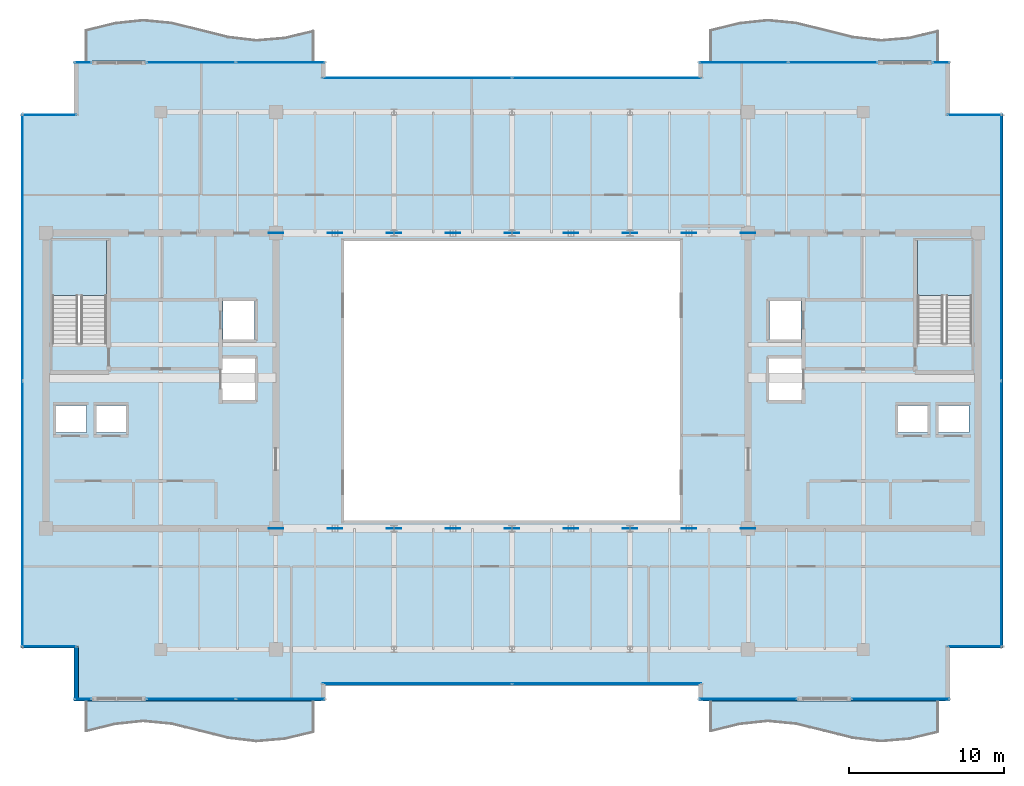
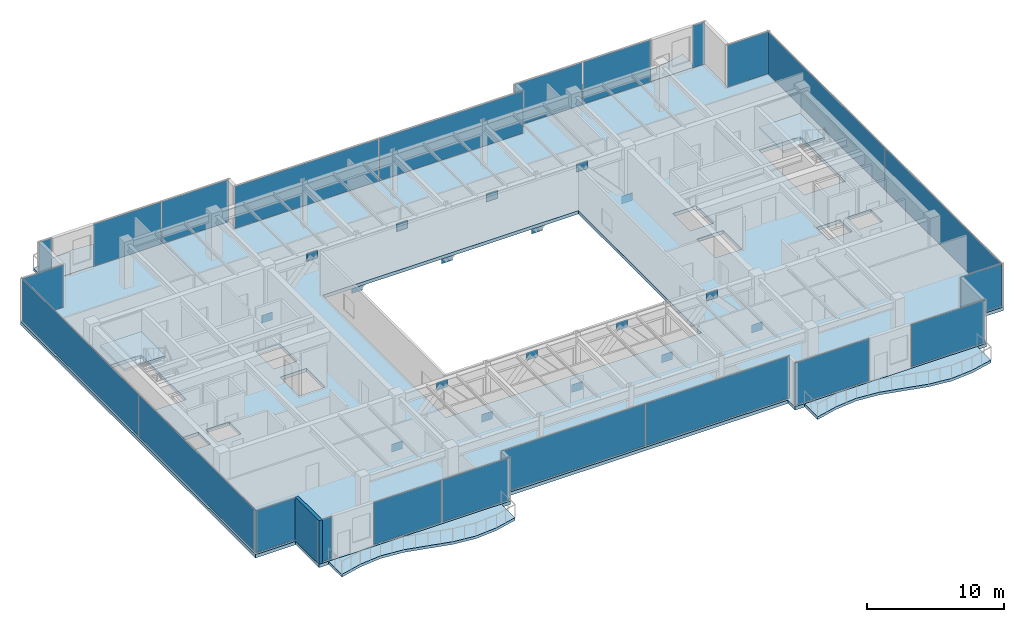
# One storey, part 24 of 31: 41 plates, 7 slabs, 1 wall, 18 elements without a shape of their own.
"""IFC4 building model written with IfcOpenShell, lengths in metres."""

from ifc_helpers import new_model, si_unit, direction, frame, frame_2d, origin, origin_2d, place, context, subcontext, project, spatial, polyline, rectangle, outline, extrude, source, transform, mapped, material, layer, layer_set, type_object, type_shapes, element, aggregate, save


model = new_model("IFC4")

# Units and contexts
model_context = context("Model", 3, precision=1e-05, world=origin(), true_north=direction((0.0, 1.0)))
body_context = subcontext(model_context, "Body", "Model", "MODEL_VIEW")
ifc_project = project(units=[si_unit("LENGTHUNIT", "METRE"), si_unit("AREAUNIT", "SQUARE_METRE"), si_unit("VOLUMEUNIT", "CUBIC_METRE"), si_unit("PLANEANGLEUNIT", "RADIAN"), si_unit("MASSUNIT", "GRAM", prefix="KILO")], contexts=[model_context])

# Site, building, storey
site_placement = place(None, origin())
site = spatial("IfcSite", under=ifc_project, at=site_placement, CompositionType="ELEMENT")
building_placement = place(site_placement, origin())
building = spatial("IfcBuilding", under=site, at=building_placement, Name="Haelvirn Gate Laboratories", CompositionType="ELEMENT")
storey_placement = place(building_placement, frame((0.0, 0.0, 310.199951171875)))
storey = spatial("IfcBuildingStorey", under=building, at=storey_placement, Name="L74", CompositionType="ELEMENT", Elevation=310.199951171875)

# Stair, slab
ifc_material_1 = material(Name="Concrete C40/50", Category="concrete")
stair_type = type_object("IfcStairType", Name="ST-DOG-1650-R24", PredefinedType="HALF_TURN_STAIR", material=ifc_material_1)
stair_1_placement = place(storey_placement, origin())
stair_1 = element("IfcStair", 1, at=stair_1_placement, inside=storey, type_object=stair_type, Name="L74 Escape Stair ST1", PredefinedType="HALF_TURN_STAIR")
ifc_layer_1 = layer(ifc_material_1, 0.199951171875, Name="SL-STAIR-LND")
ifc_layer_set_1 = layer_set([ifc_layer_1], Name="Concrete C40/50")
slab_type_1 = type_object("IfcSlabType", Name="SL-STAIR-LND", PredefinedType="LANDING", material=ifc_layer_set_1)
slab_1_placement = place(storey_placement, frame((0.0, 0.0, 1.900146484375)))
slab_1 = element("IfcSlab", 2, at=slab_1_placement, type_object=slab_type_1, Name="ST1 landing 1", PredefinedType="LANDING", context=body_context, shape_type="SweptSolid", body=[
    extrude(outline(polyline([(11.300048828125, 29.780029296875), (11.300048828125, 33.35009765625), (7.800048828125, 33.35009765625), (7.800048828125, 29.780029296875), (11.300048828125, 29.780029296875)])), origin(), (0.0, 0.0, 1.0), 0.199951171875),
])
aggregate(stair_1, [slab_1])

stair_2_placement = place(storey_placement, origin())
stair_2 = element("IfcStair", 3, at=stair_2_placement, inside=storey, type_object=stair_type, Name="L74 Escape Stair ST2", PredefinedType="HALF_TURN_STAIR")
slab_2_placement = place(storey_placement, frame((0.0, 0.0, 1.900146484375)))
slab_2 = element("IfcSlab", 4, at=slab_2_placement, type_object=slab_type_1, Name="ST2 landing 1", PredefinedType="LANDING", context=body_context, shape_type="SweptSolid", body=[
    extrude(outline(polyline([(67.0, 29.780029296875), (67.0, 33.35009765625), (63.5, 33.35009765625), (63.5, 29.780029296875), (67.0, 29.780029296875)])), origin(), (0.0, 0.0, 1.0), 0.199951171875),
])
aggregate(stair_2, [slab_2])

# Slabs
ifc_layer_2 = layer(ifc_material_1, 0.239990234375, Name="SL-WB-P5")
ifc_layer_set_2 = layer_set([ifc_layer_2], Name="Concrete C40/50")
slab_type_2 = type_object("IfcSlabType", Name="SL-WB-P5", PredefinedType="FLOOR", material=ifc_layer_set_2)
slab_3_placement = place(storey_placement, frame((0.0, 0.0, -0.239990234375)))
element("IfcSlab", 5, at=slab_3_placement, inside=storey, type_object=slab_type_2, Name="L74 Soft-Wave Balcony WL-S", PredefinedType="FLOOR", context=body_context, shape_type="SweptSolid", body=[
    extrude(outline(polyline([(10.0, 1.75), (11.824951171875, 2.20458984375), (13.64990234375, 2.39990234375), (15.47509765625, 2.22412109375), (17.300048828125, 1.777587890625), (19.125, 1.3154296875), (20.949951171875, 1.101318359375), (22.77490234375, 1.257568359375), (24.60009765625, 1.69482421875), (24.60009765625, 3.699951171875), (22.77490234375, 3.699951171875), (20.949951171875, 3.699951171875), (19.125, 3.699951171875), (17.300048828125, 3.699951171875), (15.47509765625, 3.699951171875), (13.64990234375, 3.699951171875), (11.824951171875, 3.699951171875), (10.0, 3.699951171875), (10.0, 1.75)])), origin(), (0.0, 0.0, 1.0), 0.239990234375),
])
slab_4_placement = place(storey_placement, frame((0.0, 0.0, -0.239990234375)))
element("IfcSlab", 6, at=slab_4_placement, inside=storey, type_object=slab_type_2, Name="L74 Soft-Wave Balcony WL-N", PredefinedType="FLOOR", context=body_context, shape_type="SweptSolid", body=[
    extrude(outline(polyline([(10.0, 44.89990234375), (11.824951171875, 44.89990234375), (13.64990234375, 44.89990234375), (15.47509765625, 44.89990234375), (17.300048828125, 44.89990234375), (19.125, 44.89990234375), (20.949951171875, 44.89990234375), (22.77490234375, 44.89990234375), (24.60009765625, 44.89990234375), (24.60009765625, 46.794921875), (22.77490234375, 46.357421875), (20.949951171875, 46.201416015625), (19.125, 46.415283203125), (17.300048828125, 46.877685546875), (15.47509765625, 47.323974609375), (13.64990234375, 47.5), (11.824951171875, 47.3046875), (10.0, 46.85009765625), (10.0, 44.89990234375)])), origin(), (0.0, 0.0, 1.0), 0.239990234375),
])
slab_5_placement = place(storey_placement, frame((0.0, 0.0, -0.239990234375)))
element("IfcSlab", 7, at=slab_5_placement, inside=storey, type_object=slab_type_2, Name="L74 Soft-Wave Balcony EL-S", PredefinedType="FLOOR", context=body_context, shape_type="SweptSolid", body=[
    extrude(outline(polyline([(50.199951171875, 1.75), (52.02490234375, 2.20458984375), (53.85009765625, 2.39990234375), (55.675048828125, 2.22412109375), (57.5, 1.777587890625), (59.324951171875, 1.3154296875), (61.14990234375, 1.101318359375), (62.97509765625, 1.257568359375), (64.800048828125, 1.69482421875), (64.800048828125, 3.699951171875), (62.97509765625, 3.699951171875), (61.14990234375, 3.699951171875), (59.324951171875, 3.699951171875), (57.5, 3.699951171875), (55.675048828125, 3.699951171875), (53.85009765625, 3.699951171875), (52.02490234375, 3.699951171875), (50.199951171875, 3.699951171875), (50.199951171875, 1.75)])), origin(), (0.0, 0.0, 1.0), 0.239990234375),
])
slab_6_placement = place(storey_placement, frame((0.0, 0.0, -0.239990234375)))
element("IfcSlab", 8, at=slab_6_placement, inside=storey, type_object=slab_type_2, Name="L74 Soft-Wave Balcony EL-N", PredefinedType="FLOOR", context=body_context, shape_type="SweptSolid", body=[
    extrude(outline(polyline([(50.199951171875, 44.89990234375), (52.02490234375, 44.89990234375), (53.85009765625, 44.89990234375), (55.675048828125, 44.89990234375), (57.5, 44.89990234375), (59.324951171875, 44.89990234375), (61.14990234375, 44.89990234375), (62.97509765625, 44.89990234375), (64.800048828125, 44.89990234375), (64.800048828125, 46.794921875), (62.97509765625, 46.357421875), (61.14990234375, 46.201416015625), (59.324951171875, 46.415283203125), (57.5, 46.877685546875), (55.675048828125, 47.323974609375), (53.85009765625, 47.5), (52.02490234375, 47.3046875), (50.199951171875, 46.85009765625), (50.199951171875, 44.89990234375)])), origin(), (0.0, 0.0, 1.0), 0.239990234375),
])
ifc_layer_3 = layer(ifc_material_1, 0.300048828125, Name="SL-Z3-300")
ifc_layer_set_3 = layer_set([ifc_layer_3], Name="Concrete C40/50")
slab_type_3 = type_object("IfcSlabType", Name="SL-Z3-300", PredefinedType="FLOOR", material=ifc_layer_set_3)
slab_7_placement = place(storey_placement, frame((0.0, 0.0, -0.300048828125)))
element("IfcSlab", 9, at=slab_7_placement, inside=storey, type_object=slab_type_3, Name="L74 Structural Slab MAIN", PredefinedType="FLOOR", context=body_context, shape_type="SweptSolid", body=[
    extrude(outline(polyline([(9.199951171875, 3.699951171875), (25.39990234375, 3.699951171875), (25.39990234375, 4.699951171875), (49.39990234375, 4.699951171875), (49.39990234375, 3.699951171875), (65.60009765625, 3.699951171875), (65.60009765625, 7.10009765625), (69.0, 7.10009765625), (69.0, 41.5), (65.60009765625, 41.5), (65.60009765625, 44.89990234375), (49.39990234375, 44.89990234375), (49.39990234375, 43.89990234375), (25.39990234375, 43.89990234375), (25.39990234375, 44.89990234375), (9.199951171875, 44.89990234375), (9.199951171875, 41.5), (5.800048828125, 41.5), (5.800048828125, 7.10009765625), (9.199951171875, 7.10009765625), (9.199951171875, 3.699951171875)]), holes=[polyline([(26.60009765625, 15.300048828125), (48.199951171875, 15.300048828125), (48.199951171875, 33.300048828125), (26.60009765625, 33.300048828125), (26.60009765625, 15.300048828125)]), polyline([(11.300048828125, 26.780029296875), (11.300048828125, 33.35009765625), (7.800048828125, 33.35009765625), (7.800048828125, 26.780029296875), (11.300048828125, 26.780029296875)]), polyline([(67.0, 26.780029296875), (67.0, 33.35009765625), (63.5, 33.35009765625), (63.5, 26.780029296875), (67.0, 26.780029296875)]), polyline([(7.989990234375, 20.969970703125), (10.010009765625, 20.969970703125), (10.010009765625, 22.7099609375), (7.989990234375, 22.7099609375), (7.989990234375, 20.969970703125)]), polyline([(10.590087890625, 20.969970703125), (12.610107421875, 20.969970703125), (12.610107421875, 22.7099609375), (10.590087890625, 22.7099609375), (10.590087890625, 20.969970703125)]), polyline([(18.7900390625, 26.969970703125), (20.81005859375, 26.969970703125), (20.81005859375, 29.510009765625), (18.7900390625, 29.510009765625), (18.7900390625, 26.969970703125)]), polyline([(18.68994140625, 23.070068359375), (20.909912109375, 23.070068359375), (20.909912109375, 25.81005859375), (18.68994140625, 25.81005859375), (18.68994140625, 23.070068359375)]), polyline([(64.7900390625, 20.969970703125), (66.81005859375, 20.969970703125), (66.81005859375, 22.7099609375), (64.7900390625, 22.7099609375), (64.7900390625, 20.969970703125)]), polyline([(62.18994140625, 20.969970703125), (64.2099609375, 20.969970703125), (64.2099609375, 22.7099609375), (62.18994140625, 22.7099609375), (62.18994140625, 20.969970703125)]), polyline([(53.989990234375, 26.969970703125), (56.010009765625, 26.969970703125), (56.010009765625, 29.510009765625), (53.989990234375, 29.510009765625), (53.989990234375, 26.969970703125)]), polyline([(53.889892578125, 23.070068359375), (56.110107421875, 23.070068359375), (56.110107421875, 25.81005859375), (53.889892578125, 25.81005859375), (53.889892578125, 23.070068359375)])]), origin(), (0.0, 0.0, 1.0), 0.300048828125),
])

# Plates
ifc_material_2 = material(Name="Steel SM420", Category="steel")
ifc_layer_4 = layer(ifc_material_2, 0.033935546875, Name="PL-NODE-AN2")
ifc_layer_set_4 = layer_set([ifc_layer_4], Name="Steel SM420")
plate_type_1 = type_object("IfcPlateType", Name="PL-NODE-AN2", PredefinedType="USERDEFINED", material=ifc_layer_set_4)
shared_shape_1 = source(origin(), body_context, "Body", "SweptSolid", [
    extrude(rectangle(XDim=0.919921875, YDim=0.033935546875, at=origin_2d()), origin(), (0.0, 0.0, 1.0), 0.699951171875),
])
type_shapes(plate_type_1, [shared_shape_1])
for number, where, z_axis, x_axis, name in (
    (10, (22.199951171875, 14.800048828125, -1.10009765625), (0.0, 0.0, 1.0), (1.0, 0.0, 0.0), "L74 Steel Truss Node Plate AN2"),
    (11, (26.0, 14.800048828125, 3.10009765625), (0.0, 0.0, 1.0), (1.0, 0.0, 0.0), "L74 Steel Truss Node Plate AN2"),
    (12, (29.800048828125, 14.800048828125, -1.10009765625), (0.0, 0.0, 1.0), (1.0, 0.0, 0.0), "L74 Steel Truss Node Plate AN2"),
    (13, (33.60009765625, 14.800048828125, 3.10009765625), (0.0, 0.0, 1.0), (1.0, 0.0, 0.0), "L74 Steel Truss Node Plate AN2"),
    (14, (37.39990234375, 14.800048828125, -1.10009765625), (0.0, 0.0, 1.0), (1.0, 0.0, 0.0), "L74 Steel Truss Node Plate AN2"),
    (15, (41.199951171875, 14.800048828125, 3.10009765625), (0.0, 0.0, 1.0), (1.0, 0.0, 0.0), "L74 Steel Truss Node Plate AN2"),
    (16, (45.0, 14.800048828125, -1.10009765625), (0.0, 0.0, 1.0), (1.0, 0.0, 0.0), "L74 Steel Truss Node Plate AN2"),
    (17, (48.800048828125, 14.800048828125, 3.10009765625), (0.0, 0.0, 1.0), (1.0, 0.0, 0.0), "L74 Steel Truss Node Plate AN2"),
    (18, (52.60009765625, 14.800048828125, -1.10009765625), (0.0, 0.0, 1.0), (1.0, 0.0, 0.0), "L74 Steel Truss Node Plate AN2"),
    (19, (22.199951171875, 33.800048828125, -1.10009765625), (0.0, 0.0, 1.0), (1.0, 0.0, 0.0), "L74 Steel Truss Node Plate AN2"),
    (20, (26.0, 33.800048828125, 3.10009765625), (0.0, 0.0, 1.0), (1.0, 0.0, 0.0), "L74 Steel Truss Node Plate AN2"),
    (21, (29.800048828125, 33.800048828125, -1.10009765625), (0.0, 0.0, 1.0), (1.0, 0.0, 0.0), "L74 Steel Truss Node Plate AN2"),
    (22, (33.60009765625, 33.800048828125, 3.10009765625), (0.0, 0.0, 1.0), (1.0, 0.0, 0.0), "L74 Steel Truss Node Plate AN2"),
    (23, (37.39990234375, 33.800048828125, -1.10009765625), (0.0, 0.0, 1.0), (1.0, 0.0, 0.0), "L74 Steel Truss Node Plate AN2"),
    (24, (41.199951171875, 33.800048828125, 3.10009765625), (0.0, 0.0, 1.0), (1.0, 0.0, 0.0), "L74 Steel Truss Node Plate AN2"),
    (25, (45.0, 33.800048828125, -1.10009765625), (0.0, 0.0, 1.0), (1.0, 0.0, 0.0), "L74 Steel Truss Node Plate AN2"),
    (26, (48.800048828125, 33.800048828125, 3.10009765625), (0.0, 0.0, 1.0), (1.0, 0.0, 0.0), "L74 Steel Truss Node Plate AN2"),
    (27, (52.60009765625, 33.800048828125, -1.10009765625), (0.0, 0.0, 1.0), (1.0, 0.0, 0.0), "L74 Steel Truss Node Plate AN2"),
):
    element("IfcPlate", number, at=place(storey_placement, frame(where, z_axis=z_axis, x_axis=x_axis)), inside=storey, type_object=plate_type_1, Name=name, ObjectType="GUSSET_PLATE", PredefinedType="USERDEFINED", context=body_context, shape_type="MappedRepresentation", body=[
        mapped(shared_shape_1, transform((0.0, 0.0, 0.0), scale=1.0)),
    ])

# Curtain wall, plates
ifc_material_3 = material(Name="Anodised bronze unitised aluminium & triple low-E glass", Category="aluminium")
ifc_layer_5 = layer(ifc_material_3, 0.176025390625, Name="CW-SYS-4")
ifc_layer_set_5 = layer_set([ifc_layer_5], Name="Anodised bronze unitised aluminium & triple low-E glass")
curtain_wall_type_1 = type_object("IfcCurtainWallType", Name="CW-SYS-4", PredefinedType="NOTDEFINED", material=ifc_layer_set_5)
curtain_wall_1_placement = place(storey_placement, origin())
curtain_wall_1 = element("IfcCurtainWall", 28, at=curtain_wall_1_placement, inside=storey, type_object=curtain_wall_type_1, Name="L74 Unitised Curtain Wall CW-L74-P0-E02-1", PredefinedType="NOTDEFINED")
ifc_material_4 = material(Name="Acoustic laminated bronze triple IGU 36 mm", Category="glass")
ifc_layer_6 = layer(ifc_material_4, 0.035888671875, Name="CWP-IGU-36")
ifc_layer_set_6 = layer_set([ifc_layer_6], Name="Acoustic laminated bronze triple IGU 36 mm")
plate_type_2 = type_object("IfcPlateType", Name="CWP-IGU-36", PredefinedType="CURTAIN_PANEL", material=ifc_layer_set_6)
shared_shape_2 = source(origin(), body_context, "Body", "SweptSolid", [
    extrude(rectangle(XDim=12.135009765625, YDim=0.035888671875, at=origin_2d()), origin(), (0.0, 0.0, 1.0), 3.77001953125),
])
plate_1_placement = place(storey_placement, frame((31.297607421875, 4.800048828125, 0.06494140625), z_axis=(0.0, 0.0, 1.0), x_axis=(1.0, 0.0, 0.0)))
plate_1 = element("IfcPlate", 29, at=plate_1_placement, type_object=plate_type_2, Name="CW4 panel 1.1", PredefinedType="CURTAIN_PANEL", context=body_context, shape_type="MappedRepresentation", body=[
    mapped(shared_shape_2, transform((0.0, 0.0, 0.0), scale=1.0)),
])
plate_2_placement = place(storey_placement, frame((43.50244140625, 4.800048828125, 0.06494140625), z_axis=(0.0, 0.0, 1.0), x_axis=(1.0, 0.0, 0.0)))
plate_2 = element("IfcPlate", 30, at=plate_2_placement, type_object=plate_type_2, Name="CW4 panel 2.1", PredefinedType="CURTAIN_PANEL", context=body_context, shape_type="MappedRepresentation", body=[
    mapped(shared_shape_2, transform((0.0, 0.0, 0.0), scale=1.0)),
])
aggregate(curtain_wall_1, [plate_1, plate_2])

curtain_wall_2_placement = place(storey_placement, origin())
curtain_wall_2 = element("IfcCurtainWall", 31, at=curtain_wall_2_placement, inside=storey, type_object=curtain_wall_type_1, Name="L74 Unitised Curtain Wall CW-L74-P0-E12-1", PredefinedType="NOTDEFINED")
plate_3_placement = place(storey_placement, frame((31.297607421875, 43.800048828125, 0.06494140625), z_axis=(0.0, 0.0, 1.0), x_axis=(1.0, 0.0, 0.0)))
plate_3 = element("IfcPlate", 32, at=plate_3_placement, type_object=plate_type_2, Name="CW4 panel 1.1", PredefinedType="CURTAIN_PANEL", context=body_context, shape_type="MappedRepresentation", body=[
    mapped(shared_shape_2, transform((0.0, 0.0, 0.0), scale=1.0)),
])
plate_4_placement = place(storey_placement, frame((43.50244140625, 43.800048828125, 0.06494140625), z_axis=(0.0, 0.0, 1.0), x_axis=(1.0, 0.0, 0.0)))
plate_4 = element("IfcPlate", 33, at=plate_4_placement, type_object=plate_type_2, Name="CW4 panel 2.1", PredefinedType="CURTAIN_PANEL", context=body_context, shape_type="MappedRepresentation", body=[
    mapped(shared_shape_2, transform((0.0, 0.0, 0.0), scale=1.0)),
])
aggregate(curtain_wall_2, [plate_3, plate_4])

# Curtain wall, plate
ifc_layer_7 = layer(ifc_material_3, 0.181884765625, Name="CW-SYS-5")
ifc_layer_set_7 = layer_set([ifc_layer_7], Name="Anodised bronze unitised aluminium & triple low-E glass")
curtain_wall_type_2 = type_object("IfcCurtainWallType", Name="CW-SYS-5", PredefinedType="NOTDEFINED", material=ifc_layer_set_7)
curtain_wall_3_placement = place(storey_placement, origin())
curtain_wall_3 = element("IfcCurtainWall", 34, at=curtain_wall_3_placement, inside=storey, type_object=curtain_wall_type_2, Name="L74 Unitised Curtain Wall CW-L74-P0-E06-1", PredefinedType="NOTDEFINED")
ifc_material_5 = material(Name="Clear low-iron notched-corner triple IGU 42 mm", Category="glass")
ifc_layer_8 = layer(ifc_material_5, 0.0419921875, Name="CWP-NTC-42")
ifc_layer_set_8 = layer_set([ifc_layer_8], Name="Clear low-iron notched-corner triple IGU 42 mm")
plate_type_3 = type_object("IfcPlateType", Name="CWP-NTC-42", PredefinedType="CURTAIN_PANEL", material=ifc_layer_set_8)
shared_shape_3 = source(origin(), body_context, "Body", "SweptSolid", [
    extrude(rectangle(XDim=3.47998046875, YDim=0.0419921875, at=origin_2d()), origin(), (0.0, 0.0, 1.0), 3.77001953125),
])
type_shapes(plate_type_3, [shared_shape_3])
plate_5_placement = place(storey_placement, frame((67.179931640625, 7.199951171875, 0.06494140625), z_axis=(0.0, 0.0, 1.0), x_axis=(1.0, 0.0, 0.0)))
plate_5 = element("IfcPlate", 35, at=plate_5_placement, type_object=plate_type_3, Name="CW5 panel 1.1", PredefinedType="CURTAIN_PANEL", context=body_context, shape_type="MappedRepresentation", body=[
    mapped(shared_shape_3, transform((0.0, 0.0, 0.0), scale=1.0)),
])
aggregate(curtain_wall_3, [plate_5])

curtain_wall_4_placement = place(storey_placement, origin())
curtain_wall_4 = element("IfcCurtainWall", 36, at=curtain_wall_4_placement, inside=storey, type_object=curtain_wall_type_2, Name="L74 Unitised Curtain Wall CW-L74-P0-E08-1", PredefinedType="NOTDEFINED")
plate_6_placement = place(storey_placement, frame((67.179931640625, 41.39990234375, 0.06494140625), z_axis=(0.0, 0.0, 1.0), x_axis=(1.0, 0.0, 0.0)))
plate_6 = element("IfcPlate", 37, at=plate_6_placement, type_object=plate_type_3, Name="CW5 panel 1.1", PredefinedType="CURTAIN_PANEL", context=body_context, shape_type="MappedRepresentation", body=[
    mapped(shared_shape_3, transform((0.0, 0.0, 0.0), scale=1.0)),
])
aggregate(curtain_wall_4, [plate_6])

curtain_wall_5_placement = place(storey_placement, origin())
curtain_wall_5 = element("IfcCurtainWall", 38, at=curtain_wall_5_placement, inside=storey, type_object=curtain_wall_type_2, Name="L74 Unitised Curtain Wall CW-L74-P0-E16-1", PredefinedType="NOTDEFINED")
plate_7_placement = place(storey_placement, frame((7.6201171875, 41.39990234375, 0.06494140625), z_axis=(0.0, 0.0, 1.0), x_axis=(1.0, 0.0, 0.0)))
plate_7 = element("IfcPlate", 39, at=plate_7_placement, type_object=plate_type_3, Name="CW5 panel 1.1", PredefinedType="CURTAIN_PANEL", context=body_context, shape_type="MappedRepresentation", body=[
    mapped(shared_shape_3, transform((0.0, 0.0, 0.0), scale=1.0)),
])
aggregate(curtain_wall_5, [plate_7])

curtain_wall_6_placement = place(storey_placement, origin())
curtain_wall_6 = element("IfcCurtainWall", 40, at=curtain_wall_6_placement, inside=storey, type_object=curtain_wall_type_2, Name="L74 Unitised Curtain Wall CW-L74-P0-E18-1", PredefinedType="NOTDEFINED")
plate_8_placement = place(storey_placement, frame((7.6201171875, 7.199951171875, 0.06494140625), z_axis=(0.0, 0.0, 1.0), x_axis=(1.0, 0.0, 0.0)))
plate_8 = element("IfcPlate", 41, at=plate_8_placement, type_object=plate_type_3, Name="CW5 panel 1.1", PredefinedType="CURTAIN_PANEL", context=body_context, shape_type="MappedRepresentation", body=[
    mapped(shared_shape_3, transform((0.0, 0.0, 0.0), scale=1.0)),
])
aggregate(curtain_wall_6, [plate_8])

# Curtain wall, plates
curtain_wall_7_placement = place(storey_placement, origin())
curtain_wall_7 = element("IfcCurtainWall", 42, at=curtain_wall_7_placement, inside=storey, type_object=curtain_wall_type_1, Name="L74 Unitised Curtain Wall CW-L74-P0-E07", PredefinedType="NOTDEFINED")
shared_shape_4 = source(origin(), body_context, "Body", "SweptSolid", [
    extrude(rectangle(XDim=17.094970703125, YDim=0.035888671875, at=origin_2d()), origin(), (0.0, 0.0, 1.0), 3.77001953125),
])
plate_9_placement = place(storey_placement, frame((68.89990234375, 15.717529296875, 0.06494140625), z_axis=(0.0, 0.0, 1.0), x_axis=(0.0, 1.0, 0.0)))
plate_9 = element("IfcPlate", 43, at=plate_9_placement, type_object=plate_type_2, Name="CW4 panel 1.1", PredefinedType="CURTAIN_PANEL", context=body_context, shape_type="MappedRepresentation", body=[
    mapped(shared_shape_4, transform((0.0, 0.0, 0.0), scale=1.0)),
])
plate_10_placement = place(storey_placement, frame((68.89990234375, 32.882568359375, 0.06494140625), z_axis=(0.0, 0.0, 1.0), x_axis=(0.0, 1.0, 0.0)))
plate_10 = element("IfcPlate", 44, at=plate_10_placement, type_object=plate_type_2, Name="CW4 panel 2.1", PredefinedType="CURTAIN_PANEL", context=body_context, shape_type="MappedRepresentation", body=[
    mapped(shared_shape_4, transform((0.0, 0.0, 0.0), scale=1.0)),
])
aggregate(curtain_wall_7, [plate_9, plate_10])

curtain_wall_8_placement = place(storey_placement, origin())
curtain_wall_8 = element("IfcCurtainWall", 45, at=curtain_wall_8_placement, inside=storey, type_object=curtain_wall_type_1, Name="L74 Unitised Curtain Wall CW-L74-P0-E17", PredefinedType="NOTDEFINED")
plate_11_placement = place(storey_placement, frame((5.89990234375, 32.882568359375, 0.06494140625), z_axis=(0.0, 0.0, 1.0), x_axis=(0.0, -1.0, 0.0)))
plate_11 = element("IfcPlate", 46, at=plate_11_placement, type_object=plate_type_2, Name="CW4 panel 1.1", PredefinedType="CURTAIN_PANEL", context=body_context, shape_type="MappedRepresentation", body=[
    mapped(shared_shape_4, transform((0.0, 0.0, 0.0), scale=1.0)),
])
plate_12_placement = place(storey_placement, frame((5.89990234375, 15.717529296875, 0.06494140625), z_axis=(0.0, 0.0, 1.0), x_axis=(0.0, -1.0, 0.0)))
plate_12 = element("IfcPlate", 47, at=plate_12_placement, type_object=plate_type_2, Name="CW4 panel 2.1", PredefinedType="CURTAIN_PANEL", context=body_context, shape_type="MappedRepresentation", body=[
    mapped(shared_shape_4, transform((0.0, 0.0, 0.0), scale=1.0)),
])
aggregate(curtain_wall_8, [plate_11, plate_12])

# Curtain wall, plate
curtain_wall_9_placement = place(storey_placement, origin())
curtain_wall_9 = element("IfcCurtainWall", 48, at=curtain_wall_9_placement, inside=storey, type_object=curtain_wall_type_1, Name="L74 Unitised Curtain Wall CW-L74-P0-E00-1", PredefinedType="NOTDEFINED")
shared_shape_5 = source(origin(), body_context, "Body", "SweptSolid", [
    extrude(rectangle(XDim=1.0400390625, YDim=0.035888671875, at=origin_2d()), origin(), (0.0, 0.0, 1.0), 3.77001953125),
])
plate_13_placement = place(storey_placement, frame((9.7900390625, 3.800048828125, 0.06494140625), z_axis=(0.0, 0.0, 1.0), x_axis=(1.0, 0.0, 0.0)))
plate_13 = element("IfcPlate", 49, at=plate_13_placement, type_object=plate_type_2, Name="CW4 panel 1.1", PredefinedType="CURTAIN_PANEL", context=body_context, shape_type="MappedRepresentation", body=[
    mapped(shared_shape_5, transform((0.0, 0.0, 0.0), scale=1.0)),
])
aggregate(curtain_wall_9, [plate_13])

curtain_wall_10_placement = place(storey_placement, origin())
curtain_wall_10 = element("IfcCurtainWall", 50, at=curtain_wall_10_placement, inside=storey, type_object=curtain_wall_type_1, Name="L74 Unitised Curtain Wall CW-L74-P0-E10-2", PredefinedType="NOTDEFINED")
plate_14_placement = place(storey_placement, frame((65.010009765625, 44.800048828125, 0.06494140625), z_axis=(0.0, 0.0, 1.0), x_axis=(1.0, 0.0, 0.0)))
plate_14 = element("IfcPlate", 51, at=plate_14_placement, type_object=plate_type_2, Name="CW4 panel 1.1", PredefinedType="CURTAIN_PANEL", context=body_context, shape_type="MappedRepresentation", body=[
    mapped(shared_shape_5, transform((0.0, 0.0, 0.0), scale=1.0)),
])
aggregate(curtain_wall_10, [plate_14])

curtain_wall_11_placement = place(storey_placement, origin())
curtain_wall_11 = element("IfcCurtainWall", 52, at=curtain_wall_11_placement, inside=storey, type_object=curtain_wall_type_1, Name="L74 Unitised Curtain Wall CW-L74-P0-E14-1", PredefinedType="NOTDEFINED")
plate_15_placement = place(storey_placement, frame((9.7900390625, 44.800048828125, 0.06494140625), z_axis=(0.0, 0.0, 1.0), x_axis=(1.0, 0.0, 0.0)))
plate_15 = element("IfcPlate", 53, at=plate_15_placement, type_object=plate_type_2, Name="CW4 panel 1.1", PredefinedType="CURTAIN_PANEL", context=body_context, shape_type="MappedRepresentation", body=[
    mapped(shared_shape_5, transform((0.0, 0.0, 0.0), scale=1.0)),
])
aggregate(curtain_wall_11, [plate_15])

# Curtain wall, plates
curtain_wall_12_placement = place(storey_placement, origin())
curtain_wall_12 = element("IfcCurtainWall", 54, at=curtain_wall_12_placement, inside=storey, type_object=curtain_wall_type_1, Name="L74 Unitised Curtain Wall CW-L74-P0-E00-2", PredefinedType="NOTDEFINED")
shared_shape_6 = source(origin(), body_context, "Body", "SweptSolid", [
    extrude(rectangle(XDim=5.68505859375, YDim=0.035888671875, at=origin_2d()), origin(), (0.0, 0.0, 1.0), 3.77001953125),
])
plate_16_placement = place(storey_placement, frame((16.732421875, 3.800048828125, 0.06494140625), z_axis=(0.0, 0.0, 1.0), x_axis=(1.0, 0.0, 0.0)))
plate_16 = element("IfcPlate", 55, at=plate_16_placement, type_object=plate_type_2, Name="CW4 panel 1.1", PredefinedType="CURTAIN_PANEL", context=body_context, shape_type="MappedRepresentation", body=[
    mapped(shared_shape_6, transform((0.0, 0.0, 0.0), scale=1.0)),
])
plate_17_placement = place(storey_placement, frame((22.487548828125, 3.800048828125, 0.06494140625), z_axis=(0.0, 0.0, 1.0), x_axis=(1.0, 0.0, 0.0)))
plate_17 = element("IfcPlate", 56, at=plate_17_placement, type_object=plate_type_2, Name="CW4 panel 2.1", PredefinedType="CURTAIN_PANEL", context=body_context, shape_type="MappedRepresentation", body=[
    mapped(shared_shape_6, transform((0.0, 0.0, 0.0), scale=1.0)),
])
aggregate(curtain_wall_12, [plate_16, plate_17])

curtain_wall_13_placement = place(storey_placement, origin())
curtain_wall_13 = element("IfcCurtainWall", 57, at=curtain_wall_13_placement, inside=storey, type_object=curtain_wall_type_1, Name="L74 Unitised Curtain Wall CW-L74-P0-E10-1", PredefinedType="NOTDEFINED")
plate_18_placement = place(storey_placement, frame((52.3125, 44.800048828125, 0.06494140625), z_axis=(0.0, 0.0, 1.0), x_axis=(1.0, 0.0, 0.0)))
plate_18 = element("IfcPlate", 58, at=plate_18_placement, type_object=plate_type_2, Name="CW4 panel 1.1", PredefinedType="CURTAIN_PANEL", context=body_context, shape_type="MappedRepresentation", body=[
    mapped(shared_shape_6, transform((0.0, 0.0, 0.0), scale=1.0)),
])
plate_19_placement = place(storey_placement, frame((58.0673828125, 44.800048828125, 0.06494140625), z_axis=(0.0, 0.0, 1.0), x_axis=(1.0, 0.0, 0.0)))
plate_19 = element("IfcPlate", 59, at=plate_19_placement, type_object=plate_type_2, Name="CW4 panel 2.1", PredefinedType="CURTAIN_PANEL", context=body_context, shape_type="MappedRepresentation", body=[
    mapped(shared_shape_6, transform((0.0, 0.0, 0.0), scale=1.0)),
])
aggregate(curtain_wall_13, [plate_18, plate_19])

curtain_wall_14_placement = place(storey_placement, origin())
curtain_wall_14 = element("IfcCurtainWall", 60, at=curtain_wall_14_placement, inside=storey, type_object=curtain_wall_type_1, Name="L74 Unitised Curtain Wall CW-L74-P0-E14-2", PredefinedType="NOTDEFINED")
plate_20_placement = place(storey_placement, frame((16.732421875, 44.800048828125, 0.06494140625), z_axis=(0.0, 0.0, 1.0), x_axis=(1.0, 0.0, 0.0)))
plate_20 = element("IfcPlate", 61, at=plate_20_placement, type_object=plate_type_2, Name="CW4 panel 1.1", PredefinedType="CURTAIN_PANEL", context=body_context, shape_type="MappedRepresentation", body=[
    mapped(shared_shape_6, transform((0.0, 0.0, 0.0), scale=1.0)),
])
plate_21_placement = place(storey_placement, frame((22.487548828125, 44.800048828125, 0.06494140625), z_axis=(0.0, 0.0, 1.0), x_axis=(1.0, 0.0, 0.0)))
plate_21 = element("IfcPlate", 62, at=plate_21_placement, type_object=plate_type_2, Name="CW4 panel 2.1", PredefinedType="CURTAIN_PANEL", context=body_context, shape_type="MappedRepresentation", body=[
    mapped(shared_shape_6, transform((0.0, 0.0, 0.0), scale=1.0)),
])
aggregate(curtain_wall_14, [plate_20, plate_21])

# Curtain wall, plate
curtain_wall_15_placement = place(storey_placement, origin())
curtain_wall_15 = element("IfcCurtainWall", 63, at=curtain_wall_15_placement, inside=storey, type_object=curtain_wall_type_1, Name="L74 Unitised Curtain Wall CW-L74-P0-E04-1", PredefinedType="NOTDEFINED")
shared_shape_7 = source(origin(), body_context, "Body", "SweptSolid", [
    extrude(rectangle(XDim=6.239990234375, YDim=0.035888671875, at=origin_2d()), origin(), (0.0, 0.0, 1.0), 3.77001953125),
])
type_shapes(plate_type_2, [shared_shape_2, shared_shape_4, shared_shape_5, shared_shape_6, shared_shape_7])
plate_22_placement = place(storey_placement, frame((52.590087890625, 3.800048828125, 0.06494140625), z_axis=(0.0, 0.0, 1.0), x_axis=(1.0, 0.0, 0.0)))
plate_22 = element("IfcPlate", 64, at=plate_22_placement, type_object=plate_type_2, Name="CW4 panel 1.1", PredefinedType="CURTAIN_PANEL", context=body_context, shape_type="MappedRepresentation", body=[
    mapped(shared_shape_7, transform((0.0, 0.0, 0.0), scale=1.0)),
])
aggregate(curtain_wall_15, [plate_22])

curtain_wall_16_placement = place(storey_placement, origin())
curtain_wall_16 = element("IfcCurtainWall", 65, at=curtain_wall_16_placement, inside=storey, type_object=curtain_wall_type_1, Name="L74 Unitised Curtain Wall CW-L74-P0-E04-2", PredefinedType="NOTDEFINED")
plate_23_placement = place(storey_placement, frame((62.409912109375, 3.800048828125, 0.06494140625), z_axis=(0.0, 0.0, 1.0), x_axis=(1.0, 0.0, 0.0)))
plate_23 = element("IfcPlate", 66, at=plate_23_placement, type_object=plate_type_2, Name="CW4 panel 1.1", PredefinedType="CURTAIN_PANEL", context=body_context, shape_type="MappedRepresentation", body=[
    mapped(shared_shape_7, transform((0.0, 0.0, 0.0), scale=1.0)),
])
aggregate(curtain_wall_16, [plate_23])

# Wall
ifc_material_6 = material(Name="Thermally-broken bronze aluminium rainscreen & mineral wool", Category="aluminium")
ifc_layer_9 = layer(ifc_material_6, 0.280029296875, Name="EW-TERR-280")
ifc_layer_set_9 = layer_set([ifc_layer_9], Name="Thermally-broken bronze aluminium rainscreen & mineral wool")
wall_type = type_object("IfcWallType", Name="EW-TERR-280", PredefinedType="STANDARD", material=ifc_layer_set_9)
wall_placement = place(storey_placement, frame((9.340087890625, 7.18798828125, 0.0), z_axis=(0.0, 0.0, 1.0), x_axis=(0.0, -1.0, 0.0)))
element("IfcWall", 67, at=wall_placement, inside=storey, type_object=wall_type, Name="L74 Atrium Recess Bronze Return Wall 19", PredefinedType="STANDARD", context=body_context, shape_type="SweptSolid", body=[
    extrude(rectangle(XDim=3.488037109375, YDim=0.280029296875, at=frame_2d((1.744140625, 0.0))), origin(), (0.0, 0.0, 1.0), 3.900146484375),
])

save(model, "model.ifc")
